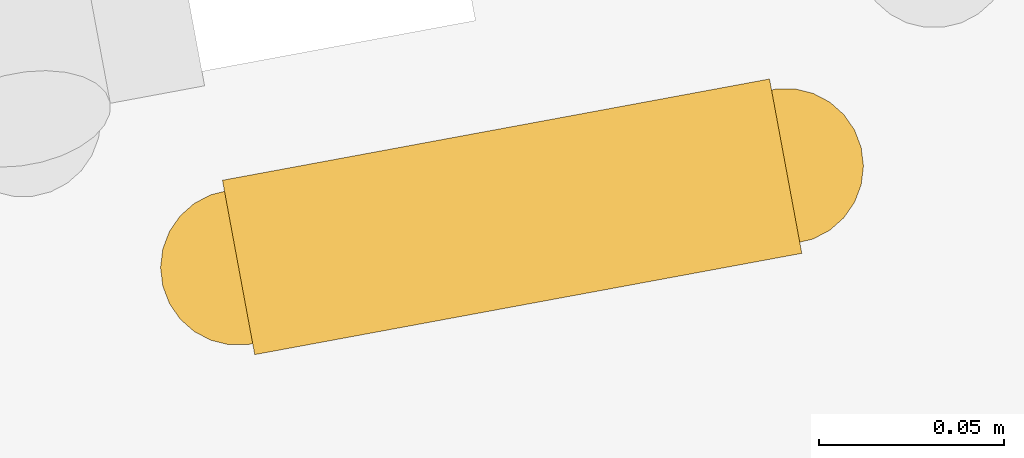
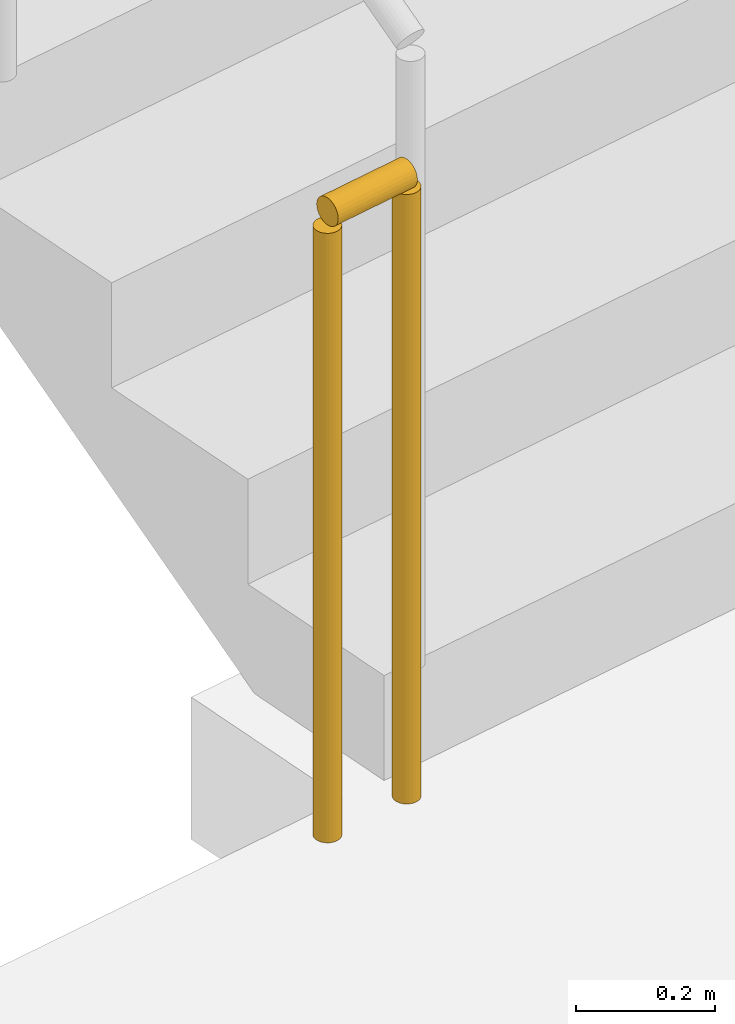
# One storey, part 113 of 137: 1 railing.
"""IFC4 building model written with IfcOpenShell, lengths in metres."""

from ifc_helpers import new_model, si_unit, direction, frame, origin, origin_2d, place, context, subcontext, project, spatial, circle, extrude, material, type_object, element, save


model = new_model("IFC4")

# Units and contexts
model_context = context("Model", 3, precision=1e-05, world=origin(), true_north=direction((0.0, 1.0)))
body_context = subcontext(model_context, "Body", "Model", "MODEL_VIEW")
ifc_project = project(units=[si_unit("LENGTHUNIT", "METRE"), si_unit("AREAUNIT", "SQUARE_METRE"), si_unit("VOLUMEUNIT", "CUBIC_METRE"), si_unit("PLANEANGLEUNIT", "RADIAN"), si_unit("MASSUNIT", "GRAM", prefix="KILO")], contexts=[model_context])

# Site, building, storey
site_placement = place(None, origin())
site = spatial("IfcSite", under=ifc_project, at=site_placement, CompositionType="ELEMENT")
building_placement = place(site_placement, origin())
building = spatial("IfcBuilding", under=site, at=building_placement, Name="Mphavela Belvedere Stadium", CompositionType="ELEMENT")
storey_placement = place(building_placement, frame((0.0, 0.0, 19.199951171875)))
storey = spatial("IfcBuildingStorey", under=building, at=storey_placement, Name="L04", CompositionType="ELEMENT", Elevation=19.199951171875)

# Railing
ifc_material = material(Name="Painted galvanised steel stair guardrail", Category="steel")
railing_type = type_object("IfcRailingType", Name="RAL-GUARD-1120", PredefinedType="GUARDRAIL", material=ifc_material)
railing_placement = place(storey_placement, frame((18.22998046875, 62.853271484375, 0.0)))
element("IfcRailing", 1, at=railing_placement, inside=storey, type_object=railing_type, Name="L04 ST-C09 stair guard 4", PredefinedType="GUARDRAIL", context=body_context, shape_type="SweptSolid", body=[
    extrude(circle(Radius=0.02392578125, at=origin_2d()), frame((0.0, 0.0, 1.09619140625), z_axis=(-0.983292780963, -0.182031060277, 0.0), x_axis=(0.182031060277, -0.983292780963, 0.0)), (0.0, 0.0, 1.0), 0.150146484375),
    extrude(circle(Radius=0.02099609375, at=origin_2d()), origin(), (0.0, 0.0, 1.0), 1.072021484375),
    extrude(circle(Radius=0.02099609375, at=origin_2d()), frame((-0.147705078125, -0.02734375, 0.0)), (0.0, 0.0, 1.0), 1.072021484375),
])

save(model, "model.ifc")
